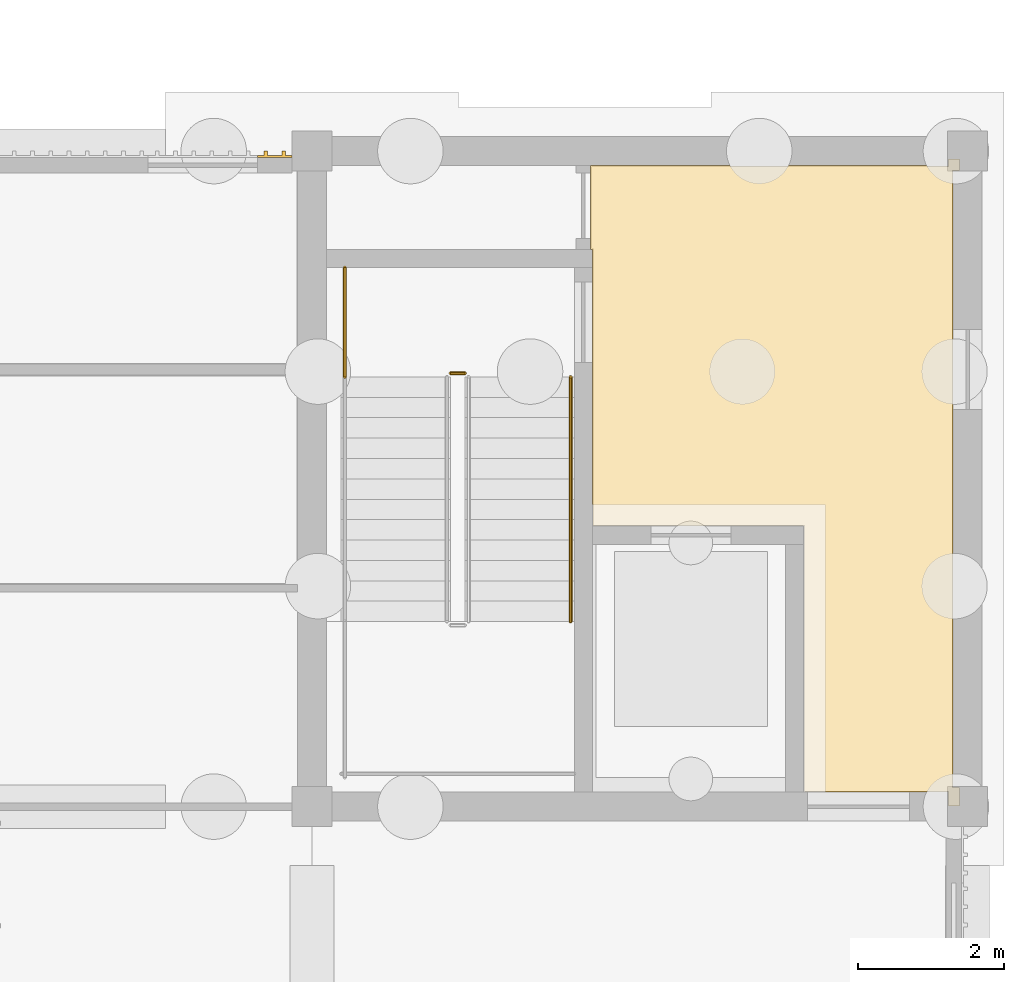
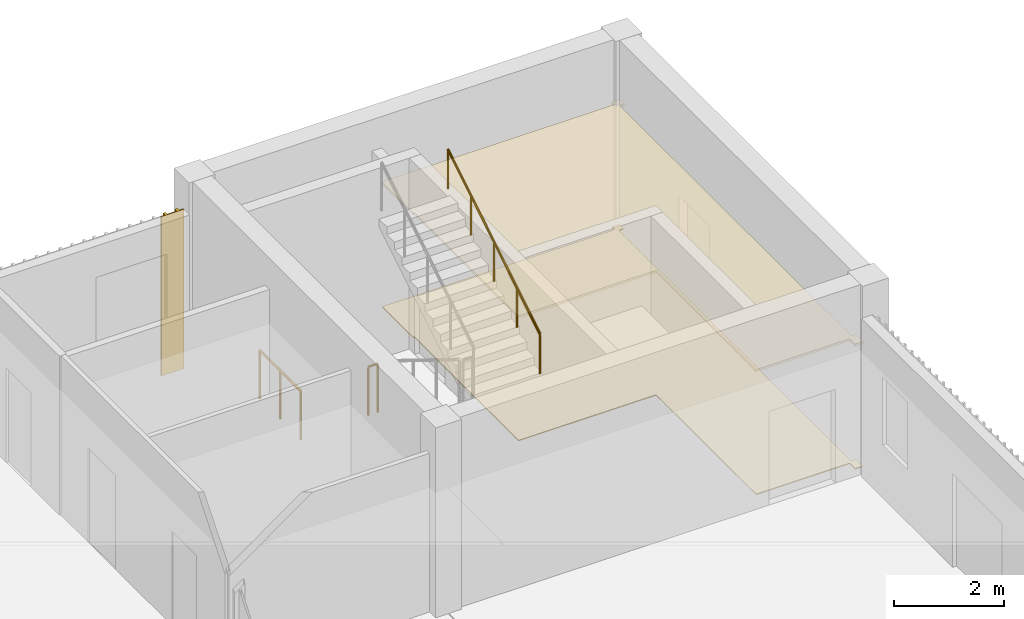
# One storey, part 105 of 106: 3 coverings, 3 railings.
"""IFC4 building model written with IfcOpenShell, lengths in metres."""

from ifc_helpers import new_model, si_unit, direction, frame, origin, origin_2d, place, context, subcontext, project, spatial, polyline, circle, outline, extrude, source, transform, mapped, material, layer, layer_set, type_object, element, save


model = new_model("IFC4")

# Units and contexts
model_context = context("Model", 3, precision=1e-05, world=origin(), true_north=direction((0.0, 1.0)))
body_context = subcontext(model_context, "Body", "Model", "MODEL_VIEW")
ifc_project = project(units=[si_unit("LENGTHUNIT", "METRE"), si_unit("AREAUNIT", "SQUARE_METRE"), si_unit("VOLUMEUNIT", "CUBIC_METRE"), si_unit("PLANEANGLEUNIT", "RADIAN"), si_unit("MASSUNIT", "GRAM", prefix="KILO")], contexts=[model_context])

# Site, building, storey
site_placement = place(None, origin())
site = spatial("IfcSite", under=ifc_project, at=site_placement, CompositionType="ELEMENT")
building_placement = place(site_placement, origin())
building = spatial("IfcBuilding", under=site, at=building_placement, Name="Merrow Basin Faculty of Sciences", CompositionType="ELEMENT")
storey_placement = place(building_placement, origin())
storey = spatial("IfcBuildingStorey", under=building, at=storey_placement, Name="L00", CompositionType="ELEMENT", Elevation=0.0)

# Covering
ifc_material_1 = material(Name="Polished terrazzo floor")
ifc_layer_1 = layer(ifc_material_1, 0.02001953125)
ifc_layer_set_1 = layer_set([ifc_layer_1], Name="Polished terrazzo floor")
covering_type_1 = type_object("IfcCoveringType", Name="Polished terrazzo floor", PredefinedType="FLOORING", material=ifc_layer_set_1)
covering_1_placement = place(storey_placement, origin())
element("IfcCovering", 1, at=covering_1_placement, inside=storey, type_object=covering_type_1, Name="Floor finish L00-C-011", PredefinedType="FLOORING", context=body_context, shape_type="SweptSolid", body=[
    extrude(outline(polyline([(71.889892578125, 132.889892578125), (71.889892578125, 132.735107421875), (71.7900390625, 132.735107421875), (71.7900390625, 124.264892578125), (71.889892578125, 124.264892578125), (71.889892578125, 124.010009765625), (71.735107421875, 124.010009765625), (71.735107421875, 124.2099609375), (69.760009765625, 124.2099609375), (69.760009765625, 127.860107421875), (66.860107421875, 127.860107421875), (66.860107421875, 131.659912109375), (66.8349609375, 131.659912109375), (66.8349609375, 132.7900390625), (71.735107421875, 132.7900390625), (71.735107421875, 132.889892578125), (71.889892578125, 132.889892578125)])), origin(), (0.0, 0.0, 1.0), 0.02001953125),
])

# Railings
ifc_material_2 = material(Name="Steel ASTM A36", Category="steel")
railing_type_1 = type_object("IfcRailingType", Name="Steel guard 1100", PredefinedType="GUARDRAIL", material=ifc_material_2)
railing_1_placement = place(storey_placement, frame((64.89990234375, 129.949951171875, 0.0)))
element("IfcRailing", 2, at=railing_1_placement, inside=storey, type_object=railing_type_1, Name="L00 ST-V2-N stair guard 6", PredefinedType="GUARDRAIL", context=body_context, shape_type="SweptSolid", body=[
    extrude(circle(Radius=0.02392578125, at=origin_2d()), frame((0.0, 0.0, 1.076171875), z_axis=(1.0, 0.0, 0.0), x_axis=(0.0, 1.0, 0.0)), (0.0, 0.0, 1.0), 0.2001953125),
    extrude(circle(Radius=0.02099609375, at=origin_2d()), origin(), (0.0, 0.0, 1.0), 1.052001953125),
    extrude(circle(Radius=0.02099609375, at=origin_2d()), frame((0.2001953125, 0.0, 0.0)), (0.0, 0.0, 1.0), 1.052001953125),
])
railing_2_placement = place(storey_placement, frame((63.449951171875, 131.39990234375, 0.0)))
element("IfcRailing", 3, at=railing_2_placement, inside=storey, type_object=railing_type_1, Name="L00 ST-V2-N stair guard 7", PredefinedType="GUARDRAIL", context=body_context, shape_type="SweptSolid", body=[
    extrude(circle(Radius=0.02392578125, at=origin_2d()), frame((0.0, 0.0, 1.076171875), z_axis=(0.0, -1.0, 0.0), x_axis=(1.0, 0.0, 0.0)), (0.0, 0.0, 1.0), 1.5),
    extrude(circle(Radius=0.02099609375, at=origin_2d()), origin(), (0.0, 0.0, 1.0), 1.052001953125),
    extrude(circle(Radius=0.02099609375, at=origin_2d()), frame((0.0, -0.75, 0.0)), (0.0, 0.0, 1.0), 1.052001953125),
    extrude(circle(Radius=0.02099609375, at=origin_2d()), frame((0.0, -1.5, 0.0)), (0.0, 0.0, 1.0), 1.052001953125),
])
ifc_material_3 = material(Name="Steel ASTM A36", Category="steel")
railing_type_2 = type_object("IfcRailingType", Name="Steel handrail 900", PredefinedType="HANDRAIL", material=ifc_material_3)
railing_3_placement = place(storey_placement, frame((66.550048828125, 126.5400390625, 2.423095703125)))
element("IfcRailing", 4, at=railing_3_placement, inside=storey, type_object=railing_type_2, Name="L00 ST-V2-N stair handrail 2", PredefinedType="HANDRAIL", context=body_context, shape_type="SweptSolid", body=[
    extrude(circle(Radius=0.02392578125, at=origin_2d()), frame((0.0, 0.0, 0.8759765625), z_axis=(0.0, 0.850606129759, 0.525803396734), x_axis=(-1.0, 0.0, 0.0)), (0.0, 0.0, 1.0), 3.949951171875),
    extrude(circle(Radius=0.02099609375, at=origin_2d()), origin(), (0.0, 0.0, 1.0), 0.851806640625),
    extrude(circle(Radius=0.02099609375, at=origin_2d()), frame((0.0, 0.83984375, 0.519287109375)), (0.0, 0.0, 1.0), 0.851806640625),
    extrude(circle(Radius=0.02099609375, at=origin_2d()), frame((0.0, 1.679931640625, 1.03857421875)), (0.0, 0.0, 1.0), 0.851806640625),
    extrude(circle(Radius=0.02099609375, at=origin_2d()), frame((0.0, 2.52001953125, 1.5576171875)), (0.0, 0.0, 1.0), 0.851806640625),
    extrude(circle(Radius=0.02099609375, at=origin_2d()), frame((0.0, 3.35986328125, 2.076904296875)), (0.0, 0.0, 1.0), 0.851806640625),
])

# Coverings
ifc_material_4 = material(Name="Mineral fibre ceiling tile")
ifc_layer_2 = layer(ifc_material_4, 0.050048828125)
ifc_layer_set_2 = layer_set([ifc_layer_2], Name="Suspended acoustic ceiling tile")
covering_type_2 = type_object("IfcCoveringType", Name="Suspended acoustic ceiling tile", PredefinedType="CEILING", material=ifc_layer_set_2)
covering_2_placement = place(storey_placement, frame((0.0, 0.0, 2.75)))
element("IfcCovering", 5, at=covering_2_placement, inside=storey, type_object=covering_type_2, Name="Ceiling L00-C-011", PredefinedType="CEILING", context=body_context, shape_type="SweptSolid", body=[
    extrude(outline(polyline([(71.89990234375, 132.89990234375), (71.89990234375, 132.72509765625), (71.800048828125, 132.72509765625), (71.800048828125, 124.27490234375), (71.89990234375, 124.27490234375), (71.89990234375, 124.0), (71.72509765625, 124.0), (71.72509765625, 124.199951171875), (69.75, 124.199951171875), (69.75, 127.85009765625), (66.85009765625, 127.85009765625), (66.85009765625, 131.64990234375), (66.824951171875, 131.64990234375), (66.824951171875, 132.800048828125), (71.72509765625, 132.800048828125), (71.72509765625, 132.89990234375), (71.89990234375, 132.89990234375)])), origin(), (0.0, 0.0, 1.0), 0.050048828125),
])
ifc_material_5 = material(Name="Larch timber", Category="wood")
ifc_layer_3 = layer(ifc_material_5, 0.0849609375)
ifc_layer_set_3 = layer_set([ifc_layer_3], Name="Larch batten cladding 85")
covering_type_3 = type_object("IfcCoveringType", Name="Larch batten cladding 85", PredefinedType="CLADDING", material=ifc_layer_set_3)
shared_shape = source(origin(), body_context, "Body", "SweptSolid", [
    extrude(outline(polyline([(0.0, 0.0), (0.47509765625, 0.0), (0.47509765625, 0.02490234375), (0.387939453125, 0.02490234375), (0.387939453125, 0.0849609375), (0.337890625, 0.0849609375), (0.337890625, 0.02490234375), (0.137939453125, 0.02490234375), (0.137939453125, 0.0849609375), (0.087890625, 0.0849609375), (0.087890625, 0.02490234375), (0.0, 0.02490234375), (0.0, 0.0)])), origin(), (0.0, 0.0, 1.0), 3.550048828125),
])
covering_3_placement = place(storey_placement, frame((62.25, 132.9150390625, 0.0), z_axis=(0.0, 0.0, 1.0), x_axis=(1.0, 0.0, 0.0)))
element("IfcCovering", 6, at=covering_3_placement, inside=storey, type_object=covering_type_3, Name="Larch batten cladding", PredefinedType="CLADDING", context=body_context, shape_type="MappedRepresentation", body=[
    mapped(shared_shape, transform((0.0, 0.0, 0.0), scale=1.0)),
])

save(model, "model.ifc")
